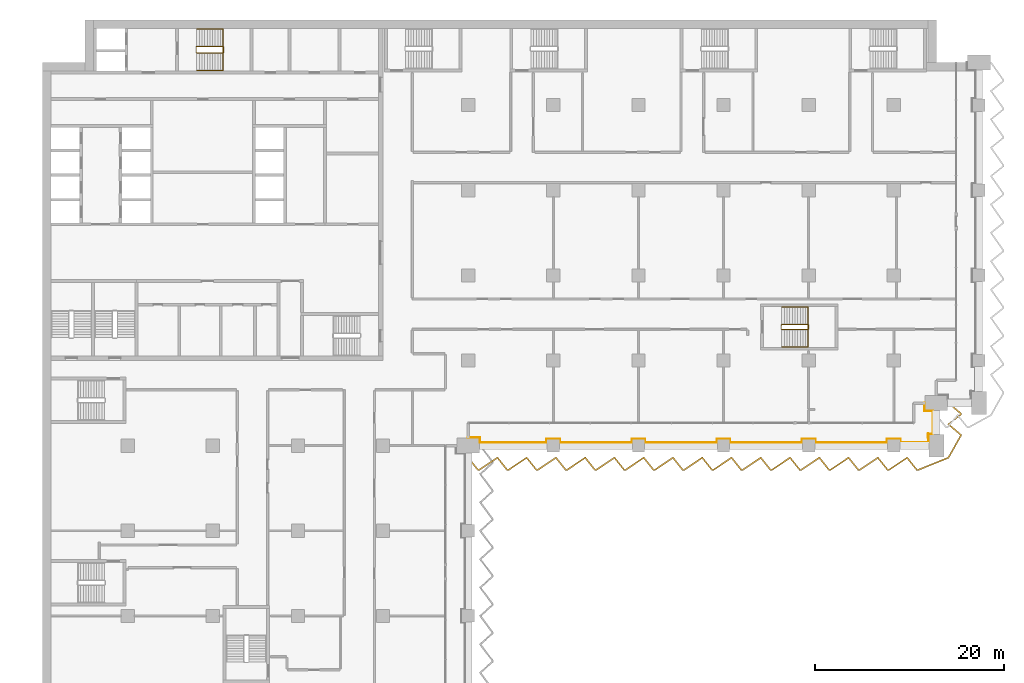
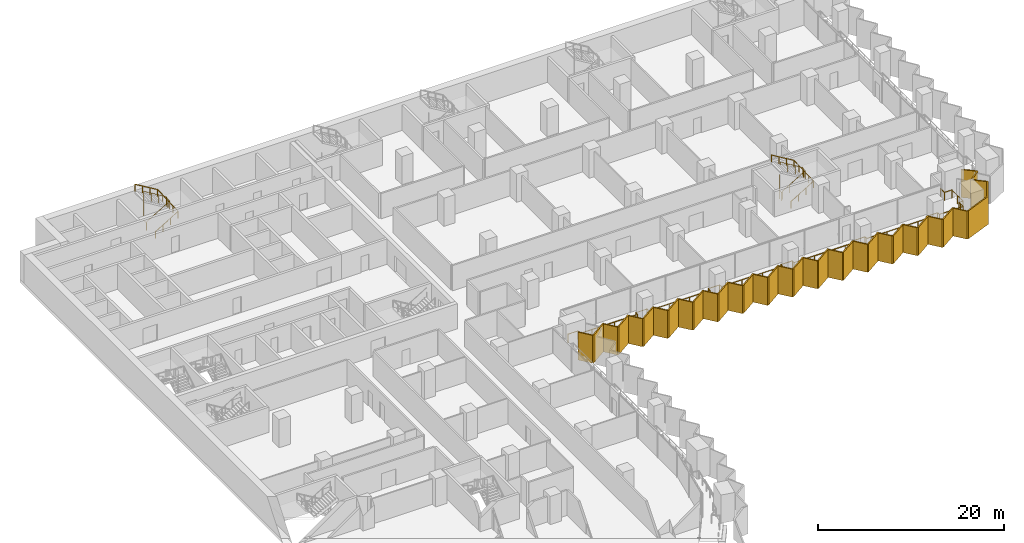
# One storey, part 26 of 28: 5 railings, 1 shading device.
"""IFC4 building model written with IfcOpenShell, lengths in metres."""

from ifc_helpers import new_model, si_unit, direction, frame, origin, origin_2d, place, context, subcontext, project, spatial, polyline, circle, outline, extrude, material, layer, layer_set, type_object, element, save


model = new_model("IFC4")

# Units and contexts
model_context = context("Model", 3, precision=1e-05, world=origin(), true_north=direction((0.0, 1.0)))
body_context = subcontext(model_context, "Body", "Model", "MODEL_VIEW")
ifc_project = project(units=[si_unit("LENGTHUNIT", "METRE"), si_unit("AREAUNIT", "SQUARE_METRE"), si_unit("VOLUMEUNIT", "CUBIC_METRE"), si_unit("PLANEANGLEUNIT", "RADIAN"), si_unit("MASSUNIT", "GRAM", prefix="KILO")], contexts=[model_context])

# Site, building, storey
site_placement = place(None, origin())
site = spatial("IfcSite", under=ifc_project, at=site_placement, CompositionType="ELEMENT")
building_placement = place(site_placement, origin())
building = spatial("IfcBuilding", under=site, at=building_placement, Name="Hunhe Ridgeline Campus", CompositionType="ELEMENT")
storey_placement = place(building_placement, frame((0.0, 0.0, 61.699951171875)))
storey = spatial("IfcBuildingStorey", under=building, at=storey_placement, Name="L14", CompositionType="ELEMENT", Elevation=61.699951171875)

# Railing
ifc_material_1 = material(Name="Steel Q355", Category="steel")
railing_type_1 = type_object("IfcRailingType", Name="Loggia guard 1100 Steel Q355", PredefinedType="GUARDRAIL", material=ifc_material_1)
railing_1_placement = place(storey_placement, frame((45.0, 54.8701171875, 0.0)))
element("IfcRailing", 1, at=railing_1_placement, inside=storey, type_object=railing_type_1, Name="Loggia guard 2", PredefinedType="GUARDRAIL", context=body_context, shape_type="SweptSolid", body=[
    extrude(circle(Radius=0.02392578125, at=origin_2d()), frame((0.0, 0.0, 1.076171875), z_axis=(1.0, 0.0, 0.0), x_axis=(0.0, 1.0, 0.0)), (0.0, 0.0, 1.0), 1.25),
    extrude(circle(Radius=0.02392578125, at=origin_2d()), frame((1.25, 0.0, 1.076171875), z_axis=(0.0, -1.0, 0.0), x_axis=(1.0, 0.0, 0.0)), (0.0, 0.0, 1.0), 0.52001953125),
    extrude(circle(Radius=0.02392578125, at=origin_2d()), frame((1.25, -0.52001953125, 1.076171875), z_axis=(1.0, 0.0, 0.0), x_axis=(0.0, 1.0, 0.0)), (0.0, 0.0, 1.0), 7.050048828125),
    extrude(circle(Radius=0.02392578125, at=origin_2d()), frame((8.300048828125, -0.52001953125, 1.076171875), z_axis=(0.0, 1.0, 0.0), x_axis=(-1.0, 0.0, 0.0)), (0.0, 0.0, 1.0), 0.369873046875),
    extrude(circle(Radius=0.02392578125, at=origin_2d()), frame((8.300048828125, -0.150146484375, 1.076171875), z_axis=(1.0, 0.0, 0.0), x_axis=(0.0, 1.0, 0.0)), (0.0, 0.0, 1.0), 1.39990234375),
    extrude(circle(Radius=0.02392578125, at=origin_2d()), frame((9.699951171875, -0.150146484375, 1.076171875), z_axis=(0.0, -1.0, 0.0), x_axis=(1.0, 0.0, 0.0)), (0.0, 0.0, 1.0), 0.369873046875),
    extrude(circle(Radius=0.02392578125, at=origin_2d()), frame((9.699951171875, -0.52001953125, 1.076171875), z_axis=(1.0, 0.0, 0.0), x_axis=(0.0, 1.0, 0.0)), (0.0, 0.0, 1.0), 7.60009765625),
    extrude(circle(Radius=0.02392578125, at=origin_2d()), frame((17.300048828125, -0.52001953125, 1.076171875), z_axis=(0.0, 1.0, 0.0), x_axis=(-1.0, 0.0, 0.0)), (0.0, 0.0, 1.0), 0.369873046875),
    extrude(circle(Radius=0.02392578125, at=origin_2d()), frame((17.300048828125, -0.150146484375, 1.076171875), z_axis=(1.0, 0.0, 0.0), x_axis=(0.0, 1.0, 0.0)), (0.0, 0.0, 1.0), 1.39990234375),
    extrude(circle(Radius=0.02392578125, at=origin_2d()), frame((18.699951171875, -0.150146484375, 1.076171875), z_axis=(0.0, -1.0, 0.0), x_axis=(1.0, 0.0, 0.0)), (0.0, 0.0, 1.0), 0.369873046875),
    extrude(circle(Radius=0.02392578125, at=origin_2d()), frame((18.699951171875, -0.52001953125, 1.076171875), z_axis=(1.0, 0.0, 0.0), x_axis=(0.0, 1.0, 0.0)), (0.0, 0.0, 1.0), 7.60009765625),
    extrude(circle(Radius=0.02392578125, at=origin_2d()), frame((26.300048828125, -0.52001953125, 1.076171875), z_axis=(0.0, 1.0, 0.0), x_axis=(-1.0, 0.0, 0.0)), (0.0, 0.0, 1.0), 0.369873046875),
    extrude(circle(Radius=0.02392578125, at=origin_2d()), frame((26.300048828125, -0.150146484375, 1.076171875), z_axis=(1.0, 0.0, 0.0), x_axis=(0.0, 1.0, 0.0)), (0.0, 0.0, 1.0), 1.39990234375),
    extrude(circle(Radius=0.02392578125, at=origin_2d()), frame((27.699951171875, -0.150146484375, 1.076171875), z_axis=(0.0, -1.0, 0.0), x_axis=(1.0, 0.0, 0.0)), (0.0, 0.0, 1.0), 0.369873046875),
    extrude(circle(Radius=0.02392578125, at=origin_2d()), frame((27.699951171875, -0.52001953125, 1.076171875), z_axis=(1.0, 0.0, 0.0), x_axis=(0.0, 1.0, 0.0)), (0.0, 0.0, 1.0), 7.60009765625),
    extrude(circle(Radius=0.02392578125, at=origin_2d()), frame((35.300048828125, -0.52001953125, 1.076171875), z_axis=(0.0, 1.0, 0.0), x_axis=(-1.0, 0.0, 0.0)), (0.0, 0.0, 1.0), 0.369873046875),
    extrude(circle(Radius=0.02392578125, at=origin_2d()), frame((35.300048828125, -0.150146484375, 1.076171875), z_axis=(1.0, 0.0, 0.0), x_axis=(0.0, 1.0, 0.0)), (0.0, 0.0, 1.0), 1.39990234375),
    extrude(circle(Radius=0.02392578125, at=origin_2d()), frame((36.699951171875, -0.150146484375, 1.076171875), z_axis=(0.0, -1.0, 0.0), x_axis=(1.0, 0.0, 0.0)), (0.0, 0.0, 1.0), 0.369873046875),
    extrude(circle(Radius=0.02392578125, at=origin_2d()), frame((36.699951171875, -0.52001953125, 1.076171875), z_axis=(1.0, 0.0, 0.0), x_axis=(0.0, 1.0, 0.0)), (0.0, 0.0, 1.0), 7.60009765625),
    extrude(circle(Radius=0.02392578125, at=origin_2d()), frame((44.300048828125, -0.52001953125, 1.076171875), z_axis=(0.0, 1.0, 0.0), x_axis=(-1.0, 0.0, 0.0)), (0.0, 0.0, 1.0), 0.369873046875),
    extrude(circle(Radius=0.02392578125, at=origin_2d()), frame((44.300048828125, -0.150146484375, 1.076171875), z_axis=(1.0, 0.0, 0.0), x_axis=(0.0, 1.0, 0.0)), (0.0, 0.0, 1.0), 1.39990234375),
    extrude(circle(Radius=0.02392578125, at=origin_2d()), frame((45.699951171875, -0.150146484375, 1.076171875), z_axis=(0.0, -1.0, 0.0), x_axis=(1.0, 0.0, 0.0)), (0.0, 0.0, 1.0), 0.369873046875),
    extrude(circle(Radius=0.02392578125, at=origin_2d()), frame((45.699951171875, -0.52001953125, 1.076171875), z_axis=(1.0, 0.0, 0.0), x_axis=(0.0, 1.0, 0.0)), (0.0, 0.0, 1.0), 2.949951171875),
    extrude(circle(Radius=0.02392578125, at=origin_2d()), frame((48.64990234375, -0.52001953125, 1.076171875), z_axis=(0.0, 1.0, 0.0), x_axis=(-1.0, 0.0, 0.0)), (0.0, 0.0, 1.0), 0.919921875),
    extrude(circle(Radius=0.02392578125, at=origin_2d()), frame((48.64990234375, 0.39990234375, 1.076171875), z_axis=(-0.049998438503, -0.998749295943, 0.0), x_axis=(0.998749295943, -0.049998438503, 0.0)), (0.0, 0.0, 1.0), 0.400390625),
    extrude(circle(Radius=0.02392578125, at=origin_2d()), frame((48.6298828125, 0.0, 1.076171875), z_axis=(0.0, 1.0, 0.0), x_axis=(-1.0, 0.0, 0.0)), (0.0, 0.0, 1.0), 0.3798828125),
    extrude(circle(Radius=0.02392578125, at=origin_2d()), frame((48.6298828125, 0.3798828125, 1.076171875), z_axis=(1.0, 0.0, 0.0), x_axis=(0.0, 1.0, 0.0)), (0.0, 0.0, 1.0), 0.52001953125),
    extrude(circle(Radius=0.02392578125, at=origin_2d()), frame((49.14990234375, 0.3798828125, 1.076171875), z_axis=(0.0, 1.0, 0.0), x_axis=(-1.0, 0.0, 0.0)), (0.0, 0.0, 1.0), 2.39990234375),
    extrude(circle(Radius=0.02392578125, at=origin_2d()), frame((49.14990234375, 2.77978515625, 1.076171875), z_axis=(-1.0, 0.0, 0.0), x_axis=(0.0, -1.0, 0.0)), (0.0, 0.0, 1.0), 0.919921875),
    extrude(circle(Radius=0.02392578125, at=origin_2d()), frame((48.22998046875, 2.77978515625, 1.076171875), z_axis=(0.0, 1.0, 0.0), x_axis=(-1.0, 0.0, 0.0)), (0.0, 0.0, 1.0), 0.85009765625),
    extrude(circle(Radius=0.02099609375, at=origin_2d()), origin(), (0.0, 0.0, 1.0), 1.052001953125),
    extrude(circle(Radius=0.02099609375, at=origin_2d()), frame((1.25, 0.0, 0.0)), (0.0, 0.0, 1.0), 1.052001953125),
    extrude(circle(Radius=0.02099609375, at=origin_2d()), frame((1.25, -0.52001953125, 0.0)), (0.0, 0.0, 1.0), 1.052001953125),
    extrude(circle(Radius=0.02099609375, at=origin_2d()), frame((2.659912109375, -0.52001953125, 0.0)), (0.0, 0.0, 1.0), 1.052001953125),
    extrude(circle(Radius=0.02099609375, at=origin_2d()), frame((4.070068359375, -0.52001953125, 0.0)), (0.0, 0.0, 1.0), 1.052001953125),
    extrude(circle(Radius=0.02099609375, at=origin_2d()), frame((5.47998046875, -0.52001953125, 0.0)), (0.0, 0.0, 1.0), 1.052001953125),
    extrude(circle(Radius=0.02099609375, at=origin_2d()), frame((6.89013671875, -0.52001953125, 0.0)), (0.0, 0.0, 1.0), 1.052001953125),
    extrude(circle(Radius=0.02099609375, at=origin_2d()), frame((8.300048828125, -0.52001953125, 0.0)), (0.0, 0.0, 1.0), 1.052001953125),
    extrude(circle(Radius=0.02099609375, at=origin_2d()), frame((8.300048828125, -0.150146484375, 0.0)), (0.0, 0.0, 1.0), 1.052001953125),
    extrude(circle(Radius=0.02099609375, at=origin_2d()), frame((9.699951171875, -0.150146484375, 0.0)), (0.0, 0.0, 1.0), 1.052001953125),
    extrude(circle(Radius=0.02099609375, at=origin_2d()), frame((9.699951171875, -0.52001953125, 0.0)), (0.0, 0.0, 1.0), 1.052001953125),
    extrude(circle(Radius=0.02099609375, at=origin_2d()), frame((10.966552734375, -0.52001953125, 0.0)), (0.0, 0.0, 1.0), 1.052001953125),
    extrude(circle(Radius=0.02099609375, at=origin_2d()), frame((12.2333984375, -0.52001953125, 0.0)), (0.0, 0.0, 1.0), 1.052001953125),
    extrude(circle(Radius=0.02099609375, at=origin_2d()), frame((13.5, -0.52001953125, 0.0)), (0.0, 0.0, 1.0), 1.052001953125),
    extrude(circle(Radius=0.02099609375, at=origin_2d()), frame((14.7666015625, -0.52001953125, 0.0)), (0.0, 0.0, 1.0), 1.052001953125),
    extrude(circle(Radius=0.02099609375, at=origin_2d()), frame((16.033447265625, -0.52001953125, 0.0)), (0.0, 0.0, 1.0), 1.052001953125),
    extrude(circle(Radius=0.02099609375, at=origin_2d()), frame((17.300048828125, -0.52001953125, 0.0)), (0.0, 0.0, 1.0), 1.052001953125),
    extrude(circle(Radius=0.02099609375, at=origin_2d()), frame((17.300048828125, -0.150146484375, 0.0)), (0.0, 0.0, 1.0), 1.052001953125),
    extrude(circle(Radius=0.02099609375, at=origin_2d()), frame((18.699951171875, -0.150146484375, 0.0)), (0.0, 0.0, 1.0), 1.052001953125),
    extrude(circle(Radius=0.02099609375, at=origin_2d()), frame((18.699951171875, -0.52001953125, 0.0)), (0.0, 0.0, 1.0), 1.052001953125),
    extrude(circle(Radius=0.02099609375, at=origin_2d()), frame((19.966552734375, -0.52001953125, 0.0)), (0.0, 0.0, 1.0), 1.052001953125),
    extrude(circle(Radius=0.02099609375, at=origin_2d()), frame((21.2333984375, -0.52001953125, 0.0)), (0.0, 0.0, 1.0), 1.052001953125),
    extrude(circle(Radius=0.02099609375, at=origin_2d()), frame((22.5, -0.52001953125, 0.0)), (0.0, 0.0, 1.0), 1.052001953125),
    extrude(circle(Radius=0.02099609375, at=origin_2d()), frame((23.7666015625, -0.52001953125, 0.0)), (0.0, 0.0, 1.0), 1.052001953125),
    extrude(circle(Radius=0.02099609375, at=origin_2d()), frame((25.033447265625, -0.52001953125, 0.0)), (0.0, 0.0, 1.0), 1.052001953125),
    extrude(circle(Radius=0.02099609375, at=origin_2d()), frame((26.300048828125, -0.52001953125, 0.0)), (0.0, 0.0, 1.0), 1.052001953125),
    extrude(circle(Radius=0.02099609375, at=origin_2d()), frame((26.300048828125, -0.150146484375, 0.0)), (0.0, 0.0, 1.0), 1.052001953125),
    extrude(circle(Radius=0.02099609375, at=origin_2d()), frame((27.699951171875, -0.150146484375, 0.0)), (0.0, 0.0, 1.0), 1.052001953125),
    extrude(circle(Radius=0.02099609375, at=origin_2d()), frame((27.699951171875, -0.52001953125, 0.0)), (0.0, 0.0, 1.0), 1.052001953125),
    extrude(circle(Radius=0.02099609375, at=origin_2d()), frame((28.966552734375, -0.52001953125, 0.0)), (0.0, 0.0, 1.0), 1.052001953125),
    extrude(circle(Radius=0.02099609375, at=origin_2d()), frame((30.2333984375, -0.52001953125, 0.0)), (0.0, 0.0, 1.0), 1.052001953125),
    extrude(circle(Radius=0.02099609375, at=origin_2d()), frame((31.5, -0.52001953125, 0.0)), (0.0, 0.0, 1.0), 1.052001953125),
    extrude(circle(Radius=0.02099609375, at=origin_2d()), frame((32.7666015625, -0.52001953125, 0.0)), (0.0, 0.0, 1.0), 1.052001953125),
    extrude(circle(Radius=0.02099609375, at=origin_2d()), frame((34.033447265625, -0.52001953125, 0.0)), (0.0, 0.0, 1.0), 1.052001953125),
    extrude(circle(Radius=0.02099609375, at=origin_2d()), frame((35.300048828125, -0.52001953125, 0.0)), (0.0, 0.0, 1.0), 1.052001953125),
    extrude(circle(Radius=0.02099609375, at=origin_2d()), frame((35.300048828125, -0.150146484375, 0.0)), (0.0, 0.0, 1.0), 1.052001953125),
    extrude(circle(Radius=0.02099609375, at=origin_2d()), frame((36.699951171875, -0.150146484375, 0.0)), (0.0, 0.0, 1.0), 1.052001953125),
    extrude(circle(Radius=0.02099609375, at=origin_2d()), frame((36.699951171875, -0.52001953125, 0.0)), (0.0, 0.0, 1.0), 1.052001953125),
    extrude(circle(Radius=0.02099609375, at=origin_2d()), frame((37.966552734375, -0.52001953125, 0.0)), (0.0, 0.0, 1.0), 1.052001953125),
    extrude(circle(Radius=0.02099609375, at=origin_2d()), frame((39.2333984375, -0.52001953125, 0.0)), (0.0, 0.0, 1.0), 1.052001953125),
    extrude(circle(Radius=0.02099609375, at=origin_2d()), frame((40.5, -0.52001953125, 0.0)), (0.0, 0.0, 1.0), 1.052001953125),
    extrude(circle(Radius=0.02099609375, at=origin_2d()), frame((41.7666015625, -0.52001953125, 0.0)), (0.0, 0.0, 1.0), 1.052001953125),
    extrude(circle(Radius=0.02099609375, at=origin_2d()), frame((43.033447265625, -0.52001953125, 0.0)), (0.0, 0.0, 1.0), 1.052001953125),
    extrude(circle(Radius=0.02099609375, at=origin_2d()), frame((44.300048828125, -0.52001953125, 0.0)), (0.0, 0.0, 1.0), 1.052001953125),
    extrude(circle(Radius=0.02099609375, at=origin_2d()), frame((44.300048828125, -0.150146484375, 0.0)), (0.0, 0.0, 1.0), 1.052001953125),
    extrude(circle(Radius=0.02099609375, at=origin_2d()), frame((45.699951171875, -0.150146484375, 0.0)), (0.0, 0.0, 1.0), 1.052001953125),
    extrude(circle(Radius=0.02099609375, at=origin_2d()), frame((45.699951171875, -0.52001953125, 0.0)), (0.0, 0.0, 1.0), 1.052001953125),
    extrude(circle(Radius=0.02099609375, at=origin_2d()), frame((47.1748046875, -0.52001953125, 0.0)), (0.0, 0.0, 1.0), 1.052001953125),
    extrude(circle(Radius=0.02099609375, at=origin_2d()), frame((48.64990234375, -0.52001953125, 0.0)), (0.0, 0.0, 1.0), 1.052001953125),
    extrude(circle(Radius=0.02099609375, at=origin_2d()), frame((48.64990234375, 0.39990234375, 0.0)), (0.0, 0.0, 1.0), 1.052001953125),
    extrude(circle(Radius=0.02099609375, at=origin_2d()), frame((48.6298828125, 0.0, 0.0)), (0.0, 0.0, 1.0), 1.052001953125),
    extrude(circle(Radius=0.02099609375, at=origin_2d()), frame((48.6298828125, 0.3798828125, 0.0)), (0.0, 0.0, 1.0), 1.052001953125),
    extrude(circle(Radius=0.02099609375, at=origin_2d()), frame((49.14990234375, 0.3798828125, 0.0)), (0.0, 0.0, 1.0), 1.052001953125),
    extrude(circle(Radius=0.02099609375, at=origin_2d()), frame((49.14990234375, 1.579833984375, 0.0)), (0.0, 0.0, 1.0), 1.052001953125),
    extrude(circle(Radius=0.02099609375, at=origin_2d()), frame((49.14990234375, 2.77978515625, 0.0)), (0.0, 0.0, 1.0), 1.052001953125),
    extrude(circle(Radius=0.02099609375, at=origin_2d()), frame((48.22998046875, 2.77978515625, 0.0)), (0.0, 0.0, 1.0), 1.052001953125),
    extrude(circle(Radius=0.02099609375, at=origin_2d()), frame((48.22998046875, 3.6298828125, 0.0)), (0.0, 0.0, 1.0), 1.052001953125),
])

# Shading device
ifc_material_2 = material(Name="Concrete C50", Category="concrete")
ifc_layer = layer(ifc_material_2, 0.14990234375)
ifc_layer_set = layer_set([ifc_layer], Name="Sawtooth concrete fin 150 Concrete C50")
shading_device_type = type_object("IfcShadingDeviceType", Name="Sawtooth concrete fin 150 Concrete C50", PredefinedType="USERDEFINED", material=ifc_layer_set)
shading_device_placement = place(storey_placement, frame((0.0, 0.0, -0.949951171875)))
element("IfcShadingDevice", 2, at=shading_device_placement, inside=storey, type_object=shading_device_type, Name="Concrete fin screen 2", ObjectType="FIN", PredefinedType="USERDEFINED", context=body_context, shape_type="SweptSolid", body=[
    extrude(outline(polyline([(45.05859375, 52.771728515625), (44.94140625, 52.67822265625), (46.000732421875, 51.35009765625), (46.1796875, 51.35009765625), (48.078125, 52.624267578125), (49.094482421875, 51.35009765625), (49.2734375, 51.35009765625), (51.171875, 52.624267578125), (52.188232421875, 51.35009765625), (52.3671875, 51.35009765625), (54.265625, 52.624267578125), (55.281982421875, 51.35009765625), (55.4609375, 51.35009765625), (57.359375, 52.624267578125), (58.375732421875, 51.35009765625), (58.5546875, 51.35009765625), (60.453125, 52.624267578125), (61.469482421875, 51.35009765625), (61.6484375, 51.35009765625), (63.546875, 52.624267578125), (64.563232421875, 51.35009765625), (64.7421875, 51.35009765625), (66.640625, 52.624267578125), (67.656982421875, 51.35009765625), (67.8359375, 51.35009765625), (69.734375, 52.624267578125), (70.750732421875, 51.35009765625), (70.9296875, 51.35009765625), (72.828125, 52.624267578125), (73.844482421875, 51.35009765625), (74.0234375, 51.35009765625), (75.921875, 52.624267578125), (76.938232421875, 51.35009765625), (77.1171875, 51.35009765625), (79.015625, 52.624267578125), (80.031982421875, 51.35009765625), (80.2109375, 51.35009765625), (82.109375, 52.624267578125), (83.125732421875, 51.35009765625), (83.3046875, 51.35009765625), (85.203125, 52.624267578125), (86.219482421875, 51.35009765625), (86.3984375, 51.35009765625), (88.296875, 52.624267578125), (89.313232421875, 51.35009765625), (89.4921875, 51.35009765625), (91.390625, 52.624267578125), (92.406982421875, 51.35009765625), (92.57763671875, 51.35009765625), (95.827392578125, 52.665283203125), (97.14990234375, 55.01708984375), (97.14990234375, 55.19189453125), (95.893310546875, 56.24853515625), (97.14990234375, 57.250732421875), (97.14990234375, 57.44189453125), (95.8232421875, 58.557373046875), (95.726806640625, 58.442626953125), (97.0, 57.371826171875), (97.0, 57.322998046875), (95.65673828125, 56.25146484375), (97.0, 55.121826171875), (97.0, 55.056396484375), (95.722412109375, 52.78466796875), (92.548583984375, 51.5), (92.479248046875, 51.5), (91.421875, 52.82568359375), (89.446533203125, 51.5), (89.385498046875, 51.5), (88.328125, 52.82568359375), (86.352783203125, 51.5), (86.291748046875, 51.5), (85.234375, 52.82568359375), (83.259033203125, 51.5), (83.197998046875, 51.5), (82.140625, 52.82568359375), (80.165283203125, 51.5), (80.104248046875, 51.5), (79.046875, 52.82568359375), (77.071533203125, 51.5), (77.010498046875, 51.5), (75.953125, 52.82568359375), (73.977783203125, 51.5), (73.916748046875, 51.5), (72.859375, 52.82568359375), (70.884033203125, 51.5), (70.822998046875, 51.5), (69.765625, 52.82568359375), (67.790283203125, 51.5), (67.729248046875, 51.5), (66.671875, 52.82568359375), (64.696533203125, 51.5), (64.635498046875, 51.5), (63.578125, 52.82568359375), (61.602783203125, 51.5), (61.541748046875, 51.5), (60.484375, 52.82568359375), (58.509033203125, 51.5), (58.447998046875, 51.5), (57.390625, 52.82568359375), (55.415283203125, 51.5), (55.354248046875, 51.5), (54.296875, 52.82568359375), (52.321533203125, 51.5), (52.260498046875, 51.5), (51.203125, 52.82568359375), (49.227783203125, 51.5), (49.166748046875, 51.5), (48.109375, 52.82568359375), (46.134033203125, 51.5), (46.072998046875, 51.5), (45.05859375, 52.771728515625)])), origin(), (0.0, 0.0, 1.0), 3.64990234375),
])

# Railings
ifc_material_3 = material(Name="Stainless steel balustrade", Category="steel")
railing_type_2 = type_object("IfcRailingType", Name="Stair guard 1100 stainless", PredefinedType="GUARDRAIL", material=ifc_material_3)
railing_2_placement = place(storey_placement, frame((16.300048828125, 95.5, 0.168212890625)))
element("IfcRailing", 3, at=railing_2_placement, inside=storey, type_object=railing_type_2, Name="L14 stair S1 guard", PredefinedType="GUARDRAIL", context=body_context, shape_type="SweptSolid", body=[
    extrude(circle(Radius=0.02392578125, at=origin_2d()), frame((0.0, 0.0, 1.076171875), z_axis=(0.857242210791, 0.0, 0.514913383045), x_axis=(0.0, 1.0, 0.0)), (0.0, 0.0, 1.0), 3.266357421875),
    extrude(circle(Radius=0.02392578125, at=origin_2d()), frame((2.800048828125, 0.0, 2.7578125), z_axis=(0.705375805398, 0.708833529934, 0.0), x_axis=(-0.708833529934, 0.705375805398, 0.0)), (0.0, 0.0, 1.0), 0.070556640625),
    extrude(circle(Radius=0.02392578125, at=origin_2d()), frame((2.849853515625, 0.050048828125, 2.7578125), z_axis=(0.0, 1.0, 0.0), x_axis=(-1.0, 0.0, 0.0)), (0.0, 0.0, 1.0), 0.599853515625),
    extrude(circle(Radius=0.02392578125, at=origin_2d()), frame((2.849853515625, 0.64990234375, 2.7578125), z_axis=(-0.273006030465, 0.27434429532, 0.922064485248), x_axis=(-0.708833529934, -0.705375805398, 0.0)), (0.0, 0.0, 1.0), 0.182373046875),
    extrude(circle(Radius=0.02392578125, at=origin_2d()), frame((2.800048828125, 0.699951171875, 2.92626953125), z_axis=(-0.857275202839, 0.0, 0.514858452973), x_axis=(0.0, -1.0, 0.0)), (0.0, 0.0, 1.0), 3.26611328125),
    extrude(circle(Radius=0.02392578125, at=origin_2d()), frame((0.0, 0.699951171875, 4.60791015625), z_axis=(-0.013524414389, -0.013524414389, -0.999817073484), x_axis=(0.707106781187, -0.707106781187, 0.0)), (0.0, 0.0, 1.0), 3.70068359375),
    extrude(circle(Radius=0.02392578125, at=origin_2d()), frame((-0.050048828125, 0.64990234375, 0.90771484375), z_axis=(0.0, -1.0, 0.0), x_axis=(1.0, 0.0, 0.0)), (0.0, 0.0, 1.0), 0.599853515625),
    extrude(circle(Radius=0.02099609375, at=origin_2d()), origin(), (0.0, 0.0, 1.0), 1.052001953125),
    extrude(circle(Radius=0.02099609375, at=origin_2d()), frame((0.933349609375, 0.0, 0.560546875)), (0.0, 0.0, 1.0), 1.052001953125),
    extrude(circle(Radius=0.02099609375, at=origin_2d()), frame((1.86669921875, 0.0, 1.121337890625)), (0.0, 0.0, 1.0), 1.052001953125),
    extrude(circle(Radius=0.02099609375, at=origin_2d()), frame((2.800048828125, 0.0, 1.681884765625)), (0.0, 0.0, 1.0), 1.052001953125),
    extrude(circle(Radius=0.02099609375, at=origin_2d()), frame((2.849853515625, 0.050048828125, 1.681884765625)), (0.0, 0.0, 1.0), 1.052001953125),
    extrude(circle(Radius=0.02099609375, at=origin_2d()), frame((2.849853515625, 0.64990234375, 1.681884765625)), (0.0, 0.0, 1.0), 1.052001953125),
    extrude(circle(Radius=0.02099609375, at=origin_2d()), frame((2.800048828125, 0.699951171875, 1.85009765625)), (0.0, 0.0, 1.0), 1.052001953125),
    extrude(circle(Radius=0.02099609375, at=origin_2d()), frame((1.86669921875, 0.699951171875, 2.41064453125)), (0.0, 0.0, 1.0), 1.052001953125),
    extrude(circle(Radius=0.02099609375, at=origin_2d()), frame((0.933349609375, 0.699951171875, 2.97119140625)), (0.0, 0.0, 1.0), 1.052001953125),
    extrude(circle(Radius=0.02099609375, at=origin_2d()), frame((0.0, 0.699951171875, 3.53173828125)), (0.0, 0.0, 1.0), 1.052001953125),
    extrude(circle(Radius=0.02099609375, at=origin_2d()), frame((-0.012451171875, 0.6875, 2.606689453125)), (0.0, 0.0, 1.0), 1.052001953125),
    extrude(circle(Radius=0.02099609375, at=origin_2d()), frame((-0.02490234375, 0.6748046875, 1.681640625)), (0.0, 0.0, 1.0), 1.052001953125),
    extrude(circle(Radius=0.02099609375, at=origin_2d()), frame((-0.03759765625, 0.662353515625, 0.7568359375)), (0.0, 0.0, 1.0), 1.052001953125),
    extrude(circle(Radius=0.02099609375, at=origin_2d()), frame((-0.050048828125, 0.64990234375, -0.168212890625)), (0.0, 0.0, 1.0), 1.052001953125),
    extrude(circle(Radius=0.02099609375, at=origin_2d()), frame((-0.050048828125, 0.050048828125, -0.168212890625)), (0.0, 0.0, 1.0), 1.052001953125),
])
railing_3_placement = place(storey_placement, frame((78.14990234375, 66.300048828125, 0.168212890625)))
element("IfcRailing", 4, at=railing_3_placement, inside=storey, type_object=railing_type_2, Name="L14 stair E5 guard", PredefinedType="GUARDRAIL", context=body_context, shape_type="SweptSolid", body=[
    extrude(circle(Radius=0.02392578125, at=origin_2d()), frame((0.0, 0.0, 1.076171875), z_axis=(0.857242210791, 0.0, 0.514913383045), x_axis=(0.0, 1.0, 0.0)), (0.0, 0.0, 1.0), 3.266357421875),
    extrude(circle(Radius=0.02392578125, at=origin_2d()), frame((2.800048828125, 0.0, 2.7578125), z_axis=(0.707106781187, 0.707106781187, 0.0), x_axis=(-0.707106781187, 0.707106781187, 0.0)), (0.0, 0.0, 1.0), 0.07080078125),
    extrude(circle(Radius=0.02392578125, at=origin_2d()), frame((2.85009765625, 0.050048828125, 2.7578125), z_axis=(0.0, 1.0, 0.0), x_axis=(-1.0, 0.0, 0.0)), (0.0, 0.0, 1.0), 0.39990234375),
    extrude(circle(Radius=0.02392578125, at=origin_2d()), frame((2.85009765625, 0.449951171875, 2.7578125), z_axis=(-0.274243871929, 0.274243871929, 0.92172696468), x_axis=(-0.707106781187, -0.707106781187, 0.0)), (0.0, 0.0, 1.0), 0.1826171875),
    extrude(circle(Radius=0.02392578125, at=origin_2d()), frame((2.800048828125, 0.5, 2.92626953125), z_axis=(-0.857275202839, 0.0, 0.514858452973), x_axis=(0.0, -1.0, 0.0)), (0.0, 0.0, 1.0), 3.26611328125),
    extrude(circle(Radius=0.02392578125, at=origin_2d()), frame((0.0, 0.5, 4.60791015625), z_axis=(-0.013458453615, -0.013524426427, -0.999817963389), x_axis=(0.708833529934, -0.705375805398, 0.0)), (0.0, 0.0, 1.0), 3.70068359375),
    extrude(circle(Radius=0.02392578125, at=origin_2d()), frame((-0.0498046875, 0.449951171875, 0.90771484375), z_axis=(0.0, -1.0, 0.0), x_axis=(1.0, 0.0, 0.0)), (0.0, 0.0, 1.0), 0.39990234375),
    extrude(circle(Radius=0.02099609375, at=origin_2d()), origin(), (0.0, 0.0, 1.0), 1.052001953125),
    extrude(circle(Radius=0.02099609375, at=origin_2d()), frame((0.933349609375, 0.0, 0.560546875)), (0.0, 0.0, 1.0), 1.052001953125),
    extrude(circle(Radius=0.02099609375, at=origin_2d()), frame((1.86669921875, 0.0, 1.121337890625)), (0.0, 0.0, 1.0), 1.052001953125),
    extrude(circle(Radius=0.02099609375, at=origin_2d()), frame((2.800048828125, 0.0, 1.681884765625)), (0.0, 0.0, 1.0), 1.052001953125),
    extrude(circle(Radius=0.02099609375, at=origin_2d()), frame((2.85009765625, 0.050048828125, 1.681884765625)), (0.0, 0.0, 1.0), 1.052001953125),
    extrude(circle(Radius=0.02099609375, at=origin_2d()), frame((2.85009765625, 0.449951171875, 1.681884765625)), (0.0, 0.0, 1.0), 1.052001953125),
    extrude(circle(Radius=0.02099609375, at=origin_2d()), frame((2.800048828125, 0.5, 1.85009765625)), (0.0, 0.0, 1.0), 1.052001953125),
    extrude(circle(Radius=0.02099609375, at=origin_2d()), frame((1.86669921875, 0.5, 2.41064453125)), (0.0, 0.0, 1.0), 1.052001953125),
    extrude(circle(Radius=0.02099609375, at=origin_2d()), frame((0.933349609375, 0.5, 2.97119140625)), (0.0, 0.0, 1.0), 1.052001953125),
    extrude(circle(Radius=0.02099609375, at=origin_2d()), frame((0.0, 0.5, 3.53173828125)), (0.0, 0.0, 1.0), 1.052001953125),
    extrude(circle(Radius=0.02099609375, at=origin_2d()), frame((-0.012451171875, 0.487548828125, 2.606689453125)), (0.0, 0.0, 1.0), 1.052001953125),
    extrude(circle(Radius=0.02099609375, at=origin_2d()), frame((-0.02490234375, 0.47509765625, 1.681640625)), (0.0, 0.0, 1.0), 1.052001953125),
    extrude(circle(Radius=0.02099609375, at=origin_2d()), frame((-0.037353515625, 0.46240234375, 0.7568359375)), (0.0, 0.0, 1.0), 1.052001953125),
    extrude(circle(Radius=0.02099609375, at=origin_2d()), frame((-0.0498046875, 0.449951171875, -0.168212890625)), (0.0, 0.0, 1.0), 1.052001953125),
    extrude(circle(Radius=0.02099609375, at=origin_2d()), frame((-0.0498046875, 0.050048828125, -0.168212890625)), (0.0, 0.0, 1.0), 1.052001953125),
])
ifc_material_4 = material(Name="Stainless steel handrail", Category="steel")
railing_type_3 = type_object("IfcRailingType", Name="Stair handrail 900 stainless", PredefinedType="HANDRAIL", material=ifc_material_4)
railing_4_placement = place(storey_placement, frame((16.300048828125, 93.64990234375, 0.168212890625)))
element("IfcRailing", 5, at=railing_4_placement, inside=storey, type_object=railing_type_3, Name="L14 stair S1 handrail", PredefinedType="HANDRAIL", context=body_context, shape_type="SweptSolid", body=[
    extrude(circle(Radius=0.02392578125, at=origin_2d()), frame((0.0, 0.0, 0.8759765625), z_axis=(0.857242210791, 0.0, 0.514913383045), x_axis=(0.0, 1.0, 0.0)), (0.0, 0.0, 1.0), 3.266357421875),
    extrude(circle(Radius=0.02392578125, at=origin_2d()), frame((2.800048828125, 0.0, 2.5576171875), z_axis=(0.0, 0.999270074432, 0.038201025428), x_axis=(-1.0, 0.0, 0.0)), (0.0, 0.0, 1.0), 4.4033203125),
    extrude(circle(Radius=0.02392578125, at=origin_2d()), frame((2.800048828125, 4.400146484375, 2.72607421875), z_axis=(-0.857275202839, 0.0, 0.514858452973), x_axis=(0.0, -1.0, 0.0)), (0.0, 0.0, 1.0), 3.26611328125),
    extrude(circle(Radius=0.02099609375, at=origin_2d()), origin(), (0.0, 0.0, 1.0), 0.851806640625),
    extrude(circle(Radius=0.02099609375, at=origin_2d()), frame((0.933349609375, 0.0, 0.560546875)), (0.0, 0.0, 1.0), 0.851806640625),
    extrude(circle(Radius=0.02099609375, at=origin_2d()), frame((1.86669921875, 0.0, 1.121337890625)), (0.0, 0.0, 1.0), 0.851806640625),
    extrude(circle(Radius=0.02099609375, at=origin_2d()), frame((2.800048828125, 0.0, 1.681884765625)), (0.0, 0.0, 1.0), 0.851806640625),
    extrude(circle(Radius=0.02099609375, at=origin_2d()), frame((2.800048828125, 1.10009765625, 1.723876953125)), (0.0, 0.0, 1.0), 0.851806640625),
    extrude(circle(Radius=0.02099609375, at=origin_2d()), frame((2.800048828125, 2.2001953125, 1.76611328125)), (0.0, 0.0, 1.0), 0.851806640625),
    extrude(circle(Radius=0.02099609375, at=origin_2d()), frame((2.800048828125, 3.300048828125, 1.80810546875)), (0.0, 0.0, 1.0), 0.851806640625),
    extrude(circle(Radius=0.02099609375, at=origin_2d()), frame((2.800048828125, 4.400146484375, 1.85009765625)), (0.0, 0.0, 1.0), 0.851806640625),
    extrude(circle(Radius=0.02099609375, at=origin_2d()), frame((1.86669921875, 4.400146484375, 2.41064453125)), (0.0, 0.0, 1.0), 0.851806640625),
    extrude(circle(Radius=0.02099609375, at=origin_2d()), frame((0.933349609375, 4.400146484375, 2.97119140625)), (0.0, 0.0, 1.0), 0.851806640625),
    extrude(circle(Radius=0.02099609375, at=origin_2d()), frame((0.0, 4.400146484375, 3.53173828125)), (0.0, 0.0, 1.0), 0.851806640625),
])
railing_5_placement = place(storey_placement, frame((78.14990234375, 64.449951171875, 0.168212890625)))
element("IfcRailing", 6, at=railing_5_placement, inside=storey, type_object=railing_type_3, Name="L14 stair E5 handrail", PredefinedType="HANDRAIL", context=body_context, shape_type="SweptSolid", body=[
    extrude(circle(Radius=0.02392578125, at=origin_2d()), frame((0.0, 0.0, 0.8759765625), z_axis=(0.857242210791, 0.0, 0.514913383045), x_axis=(0.0, 1.0, 0.0)), (0.0, 0.0, 1.0), 3.266357421875),
    extrude(circle(Radius=0.02392578125, at=origin_2d()), frame((2.800048828125, 0.0, 2.5576171875), z_axis=(0.0, 0.999198916169, 0.040019069537), x_axis=(-1.0, 0.0, 0.0)), (0.0, 0.0, 1.0), 4.203369140625),
    extrude(circle(Radius=0.02392578125, at=origin_2d()), frame((2.800048828125, 4.199951171875, 2.72607421875), z_axis=(-0.857275202839, 0.0, 0.514858452973), x_axis=(0.0, -1.0, 0.0)), (0.0, 0.0, 1.0), 3.26611328125),
    extrude(circle(Radius=0.02099609375, at=origin_2d()), origin(), (0.0, 0.0, 1.0), 0.851806640625),
    extrude(circle(Radius=0.02099609375, at=origin_2d()), frame((0.933349609375, 0.0, 0.560546875)), (0.0, 0.0, 1.0), 0.851806640625),
    extrude(circle(Radius=0.02099609375, at=origin_2d()), frame((1.86669921875, 0.0, 1.121337890625)), (0.0, 0.0, 1.0), 0.851806640625),
    extrude(circle(Radius=0.02099609375, at=origin_2d()), frame((2.800048828125, 0.0, 1.681884765625)), (0.0, 0.0, 1.0), 0.851806640625),
    extrude(circle(Radius=0.02099609375, at=origin_2d()), frame((2.800048828125, 1.050048828125, 1.723876953125)), (0.0, 0.0, 1.0), 0.851806640625),
    extrude(circle(Radius=0.02099609375, at=origin_2d()), frame((2.800048828125, 2.10009765625, 1.76611328125)), (0.0, 0.0, 1.0), 0.851806640625),
    extrude(circle(Radius=0.02099609375, at=origin_2d()), frame((2.800048828125, 3.14990234375, 1.80810546875)), (0.0, 0.0, 1.0), 0.851806640625),
    extrude(circle(Radius=0.02099609375, at=origin_2d()), frame((2.800048828125, 4.199951171875, 1.85009765625)), (0.0, 0.0, 1.0), 0.851806640625),
    extrude(circle(Radius=0.02099609375, at=origin_2d()), frame((1.86669921875, 4.199951171875, 2.41064453125)), (0.0, 0.0, 1.0), 0.851806640625),
    extrude(circle(Radius=0.02099609375, at=origin_2d()), frame((0.933349609375, 4.199951171875, 2.97119140625)), (0.0, 0.0, 1.0), 0.851806640625),
    extrude(circle(Radius=0.02099609375, at=origin_2d()), frame((0.0, 4.199951171875, 3.53173828125)), (0.0, 0.0, 1.0), 0.851806640625),
])

save(model, "model.ifc")
